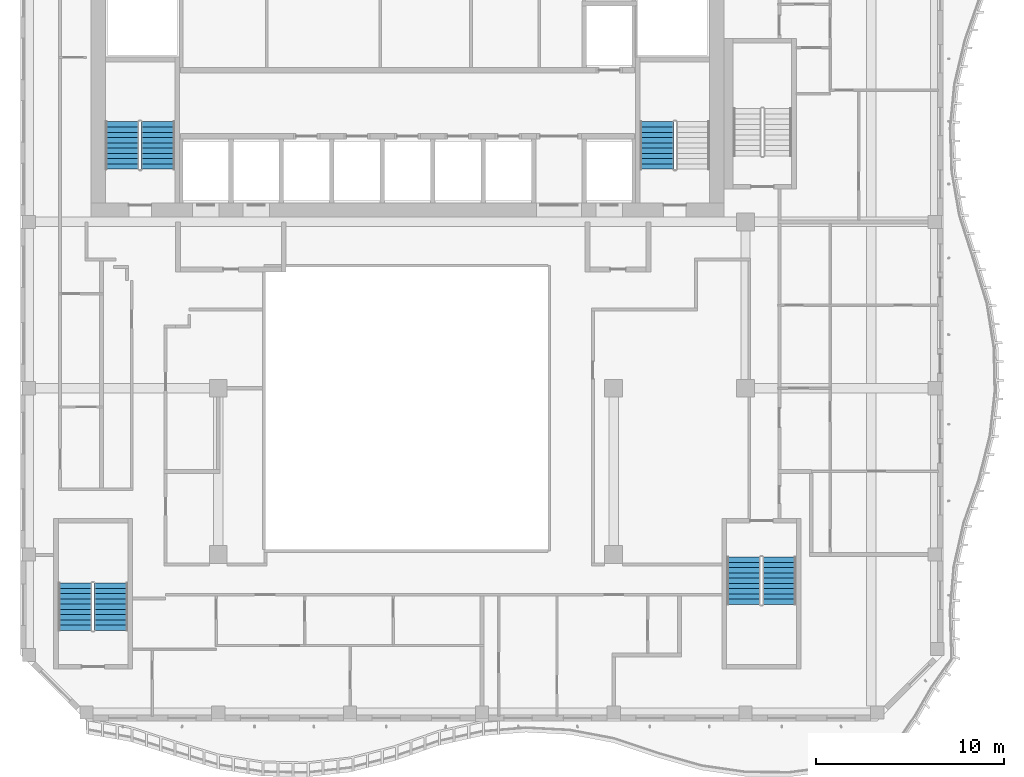
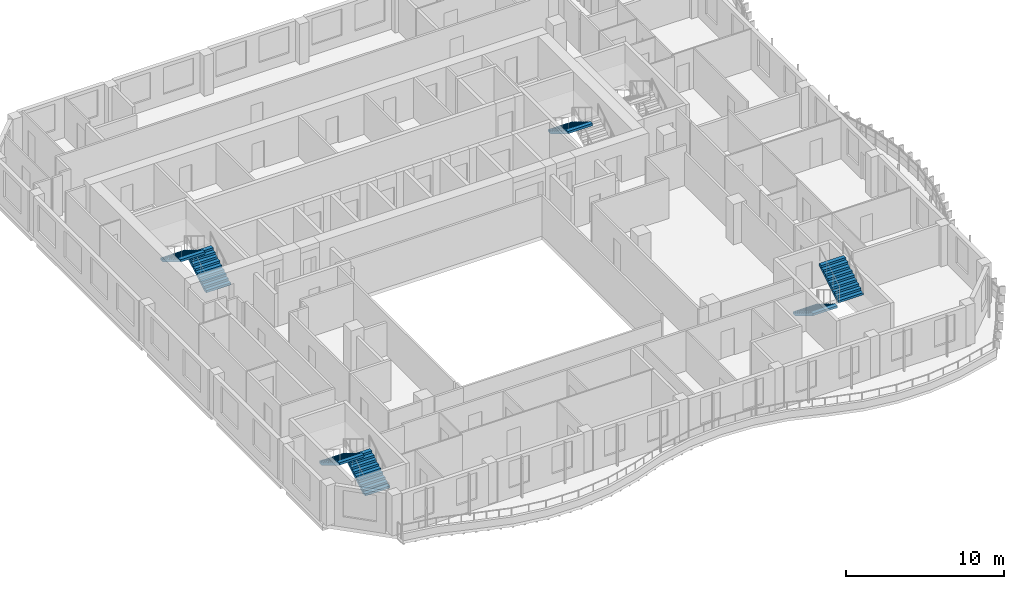
# One storey, part 10 of 19: 7 stair flights, 4 elements without a shape of their own.
"""IFC4 building model written with IfcOpenShell, lengths in metres."""

from ifc_helpers import new_model, si_unit, direction, frame, origin, place, context, subcontext, project, spatial, triangles, source, transform, mapped, material, type_object, element, aggregate, save


model = new_model("IFC4")

# Units and contexts
model_context = context("Model", 3, precision=1e-05, world=origin(), true_north=direction((0.0, 1.0)))
body_context = subcontext(model_context, "Body", "Model", "MODEL_VIEW")
ifc_project = project(units=[si_unit("LENGTHUNIT", "METRE"), si_unit("AREAUNIT", "SQUARE_METRE"), si_unit("VOLUMEUNIT", "CUBIC_METRE"), si_unit("PLANEANGLEUNIT", "RADIAN"), si_unit("MASSUNIT", "GRAM", prefix="KILO")], contexts=[model_context])

# Site, building, storey
site_placement = place(None, origin())
site = spatial("IfcSite", under=ifc_project, at=site_placement, CompositionType="ELEMENT")
building_placement = place(site_placement, origin())
building = spatial("IfcBuilding", under=site, at=building_placement, Name="Kilnfold Tower and Market Hall", CompositionType="ELEMENT")
storey_placement = place(building_placement, frame((0.0, 0.0, 242.39990234375)))
storey = spatial("IfcBuildingStorey", under=building, at=storey_placement, Name="L58", CompositionType="ELEMENT", Elevation=242.39990234375)

# Stair, stair flights
ifc_material_1 = material(Name="Concrete C40/50", Category="concrete")
stair_type = type_object("IfcStairType", Name="CORE STAIR 1800", PredefinedType="HALF_TURN_STAIR", material=ifc_material_1)
stair_1_placement = place(storey_placement, origin())
stair_1 = element("IfcStair", 1, at=stair_1_placement, inside=storey, type_object=stair_type, Name="L58 ST1", PredefinedType="HALF_TURN_STAIR")
ifc_material_2 = material(Name="Concrete C40/50", Category="concrete")
stair_flight_type = type_object("IfcStairFlightType", Name="CORE STAIR FLIGHT 1800", PredefinedType="STRAIGHT", material=ifc_material_2)
shared_shape = source(origin(), body_context, "Body", "Tessellation", [
    triangles([(0.0, 0.89990234375, 0.0), (0.0, 0.78759765625, 0.0), (0.0, 0.675048828125, 0.0), (0.0, 0.5625, 0.0), (0.0, 0.449951171875, 0.0), (0.0, 0.33740234375, 0.0), (0.0, 0.22509765625, 0.0), (0.0, 0.112548828125, 0.0), (0.0, 0.0, 0.0), (0.0, -0.112548828125, 0.0), (0.0, -0.22509765625, 0.0), (0.0, -0.33740234375, 0.0), (0.0, -0.449951171875, 0.0), (0.0, -0.5625, 0.0), (0.0, -0.675048828125, 0.0), (0.0, -0.78759765625, 0.0), (0.0, -0.89990234375, 0.0), (0.0, 0.89990234375, 0.169921875), (0.0, 0.78759765625, 0.169921875), (0.0, 0.675048828125, 0.169921875), (0.0, 0.5625, 0.169921875), (0.0, 0.449951171875, 0.169921875), (0.0, 0.33740234375, 0.169921875), (0.0, 0.22509765625, 0.169921875), (0.0, 0.112548828125, 0.169921875), (0.0, 0.0, 0.169921875), (0.0, -0.112548828125, 0.169921875), (0.0, -0.22509765625, 0.169921875), (0.0, -0.33740234375, 0.169921875), (0.0, -0.449951171875, 0.169921875), (0.0, -0.5625, 0.169921875), (0.0, -0.675048828125, 0.169921875), (0.0, -0.78759765625, 0.169921875), (0.0, -0.89990234375, 0.169921875), (0.280029296875, 0.89990234375, 0.169921875), (0.280029296875, 0.78759765625, 0.169921875), (0.280029296875, 0.675048828125, 0.169921875), (0.280029296875, 0.5625, 0.169921875), (0.280029296875, 0.449951171875, 0.169921875), (0.280029296875, 0.33740234375, 0.169921875), (0.280029296875, 0.22509765625, 0.169921875), (0.280029296875, 0.112548828125, 0.169921875), (0.280029296875, 0.0, 0.169921875), (0.280029296875, -0.112548828125, 0.169921875), (0.280029296875, -0.22509765625, 0.169921875), (0.280029296875, -0.33740234375, 0.169921875), (0.280029296875, -0.449951171875, 0.169921875), (0.280029296875, -0.5625, 0.169921875), (0.280029296875, -0.675048828125, 0.169921875), (0.280029296875, -0.78759765625, 0.169921875), (0.280029296875, -0.89990234375, 0.169921875), (0.280029296875, 0.89990234375, 0.340087890625), (0.280029296875, 0.78759765625, 0.340087890625), (0.280029296875, 0.675048828125, 0.340087890625), (0.280029296875, 0.5625, 0.340087890625), (0.280029296875, 0.449951171875, 0.340087890625), (0.280029296875, 0.33740234375, 0.340087890625), (0.280029296875, 0.22509765625, 0.340087890625), (0.280029296875, 0.112548828125, 0.340087890625), (0.280029296875, 0.0, 0.340087890625), (0.280029296875, -0.112548828125, 0.340087890625), (0.280029296875, -0.22509765625, 0.340087890625), (0.280029296875, -0.33740234375, 0.340087890625), (0.280029296875, -0.449951171875, 0.340087890625), (0.280029296875, -0.5625, 0.340087890625), (0.280029296875, -0.675048828125, 0.340087890625), (0.280029296875, -0.78759765625, 0.340087890625), (0.280029296875, -0.89990234375, 0.340087890625), (0.56005859375, 0.89990234375, 0.340087890625), (0.56005859375, 0.78759765625, 0.340087890625), (0.56005859375, 0.675048828125, 0.340087890625), (0.56005859375, 0.5625, 0.340087890625), (0.56005859375, 0.449951171875, 0.340087890625), (0.56005859375, 0.33740234375, 0.340087890625), (0.56005859375, 0.22509765625, 0.340087890625), (0.56005859375, 0.112548828125, 0.340087890625), (0.56005859375, 0.0, 0.340087890625), (0.56005859375, -0.112548828125, 0.340087890625), (0.56005859375, -0.22509765625, 0.340087890625), (0.56005859375, -0.33740234375, 0.340087890625), (0.56005859375, -0.449951171875, 0.340087890625), (0.56005859375, -0.5625, 0.340087890625), (0.56005859375, -0.675048828125, 0.340087890625), (0.56005859375, -0.78759765625, 0.340087890625), (0.56005859375, -0.89990234375, 0.340087890625), (0.56005859375, 0.89990234375, 0.510009765625), (0.56005859375, 0.78759765625, 0.510009765625), (0.56005859375, 0.675048828125, 0.510009765625), (0.56005859375, 0.5625, 0.510009765625), (0.56005859375, 0.449951171875, 0.510009765625), (0.56005859375, 0.33740234375, 0.510009765625), (0.56005859375, 0.22509765625, 0.510009765625), (0.56005859375, 0.112548828125, 0.510009765625), (0.56005859375, 0.0, 0.510009765625), (0.56005859375, -0.112548828125, 0.510009765625), (0.56005859375, -0.22509765625, 0.510009765625), (0.56005859375, -0.33740234375, 0.510009765625), (0.56005859375, -0.449951171875, 0.510009765625), (0.56005859375, -0.5625, 0.510009765625), (0.56005859375, -0.675048828125, 0.510009765625), (0.56005859375, -0.78759765625, 0.510009765625), (0.56005859375, -0.89990234375, 0.510009765625), (0.840087890625, 0.89990234375, 0.510009765625), (0.840087890625, 0.78759765625, 0.510009765625), (0.840087890625, 0.675048828125, 0.510009765625), (0.840087890625, 0.5625, 0.510009765625), (0.840087890625, 0.449951171875, 0.510009765625), (0.840087890625, 0.33740234375, 0.510009765625), (0.840087890625, 0.22509765625, 0.510009765625), (0.840087890625, 0.112548828125, 0.510009765625), (0.840087890625, 0.0, 0.510009765625), (0.840087890625, -0.112548828125, 0.510009765625), (0.840087890625, -0.22509765625, 0.510009765625), (0.840087890625, -0.33740234375, 0.510009765625), (0.840087890625, -0.449951171875, 0.510009765625), (0.840087890625, -0.5625, 0.510009765625), (0.840087890625, -0.675048828125, 0.510009765625), (0.840087890625, -0.78759765625, 0.510009765625), (0.840087890625, -0.89990234375, 0.510009765625), (0.840087890625, 0.89990234375, 0.679931640625), (0.840087890625, 0.78759765625, 0.679931640625), (0.840087890625, 0.675048828125, 0.679931640625), (0.840087890625, 0.5625, 0.679931640625), (0.840087890625, 0.449951171875, 0.679931640625), (0.840087890625, 0.33740234375, 0.679931640625), (0.840087890625, 0.22509765625, 0.679931640625), (0.840087890625, 0.112548828125, 0.679931640625), (0.840087890625, 0.0, 0.679931640625), (0.840087890625, -0.112548828125, 0.679931640625), (0.840087890625, -0.22509765625, 0.679931640625), (0.840087890625, -0.33740234375, 0.679931640625), (0.840087890625, -0.449951171875, 0.679931640625), (0.840087890625, -0.5625, 0.679931640625), (0.840087890625, -0.675048828125, 0.679931640625), (0.840087890625, -0.78759765625, 0.679931640625), (0.840087890625, -0.89990234375, 0.679931640625), (1.1201171875, 0.89990234375, 0.679931640625), (1.1201171875, 0.78759765625, 0.679931640625), (1.1201171875, 0.675048828125, 0.679931640625), (1.1201171875, 0.5625, 0.679931640625), (1.1201171875, 0.449951171875, 0.679931640625), (1.1201171875, 0.33740234375, 0.679931640625), (1.1201171875, 0.22509765625, 0.679931640625), (1.1201171875, 0.112548828125, 0.679931640625), (1.1201171875, 0.0, 0.679931640625), (1.1201171875, -0.112548828125, 0.679931640625), (1.1201171875, -0.22509765625, 0.679931640625), (1.1201171875, -0.33740234375, 0.679931640625), (1.1201171875, -0.449951171875, 0.679931640625), (1.1201171875, -0.5625, 0.679931640625), (1.1201171875, -0.675048828125, 0.679931640625), (1.1201171875, -0.78759765625, 0.679931640625), (1.1201171875, -0.89990234375, 0.679931640625), (1.1201171875, 0.89990234375, 0.85009765625), (1.1201171875, 0.78759765625, 0.85009765625), (1.1201171875, 0.675048828125, 0.85009765625), (1.1201171875, 0.5625, 0.85009765625), (1.1201171875, 0.449951171875, 0.85009765625), (1.1201171875, 0.33740234375, 0.85009765625), (1.1201171875, 0.22509765625, 0.85009765625), (1.1201171875, 0.112548828125, 0.85009765625), (1.1201171875, 0.0, 0.85009765625), (1.1201171875, -0.112548828125, 0.85009765625), (1.1201171875, -0.22509765625, 0.85009765625), (1.1201171875, -0.33740234375, 0.85009765625), (1.1201171875, -0.449951171875, 0.85009765625), (1.1201171875, -0.5625, 0.85009765625), (1.1201171875, -0.675048828125, 0.85009765625), (1.1201171875, -0.78759765625, 0.85009765625), (1.1201171875, -0.89990234375, 0.85009765625), (1.39990234375, 0.89990234375, 0.85009765625), (1.39990234375, 0.78759765625, 0.85009765625), (1.39990234375, 0.675048828125, 0.85009765625), (1.39990234375, 0.5625, 0.85009765625), (1.39990234375, 0.449951171875, 0.85009765625), (1.39990234375, 0.33740234375, 0.85009765625), (1.39990234375, 0.22509765625, 0.85009765625), (1.39990234375, 0.112548828125, 0.85009765625), (1.39990234375, 0.0, 0.85009765625), (1.39990234375, -0.112548828125, 0.85009765625), (1.39990234375, -0.22509765625, 0.85009765625), (1.39990234375, -0.33740234375, 0.85009765625), (1.39990234375, -0.449951171875, 0.85009765625), (1.39990234375, -0.5625, 0.85009765625), (1.39990234375, -0.675048828125, 0.85009765625), (1.39990234375, -0.78759765625, 0.85009765625), (1.39990234375, -0.89990234375, 0.85009765625), (1.39990234375, 0.89990234375, 1.02001953125), (1.39990234375, 0.78759765625, 1.02001953125), (1.39990234375, 0.675048828125, 1.02001953125), (1.39990234375, 0.5625, 1.02001953125), (1.39990234375, 0.449951171875, 1.02001953125), (1.39990234375, 0.33740234375, 1.02001953125), (1.39990234375, 0.22509765625, 1.02001953125), (1.39990234375, 0.112548828125, 1.02001953125), (1.39990234375, 0.0, 1.02001953125), (1.39990234375, -0.112548828125, 1.02001953125), (1.39990234375, -0.22509765625, 1.02001953125), (1.39990234375, -0.33740234375, 1.02001953125), (1.39990234375, -0.449951171875, 1.02001953125), (1.39990234375, -0.5625, 1.02001953125), (1.39990234375, -0.675048828125, 1.02001953125), (1.39990234375, -0.78759765625, 1.02001953125), (1.39990234375, -0.89990234375, 1.02001953125), (1.679931640625, 0.89990234375, 1.02001953125), (1.679931640625, 0.78759765625, 1.02001953125), (1.679931640625, 0.675048828125, 1.02001953125), (1.679931640625, 0.5625, 1.02001953125), (1.679931640625, 0.449951171875, 1.02001953125), (1.679931640625, 0.33740234375, 1.02001953125), (1.679931640625, 0.22509765625, 1.02001953125), (1.679931640625, 0.112548828125, 1.02001953125), (1.679931640625, 0.0, 1.02001953125), (1.679931640625, -0.112548828125, 1.02001953125), (1.679931640625, -0.22509765625, 1.02001953125), (1.679931640625, -0.33740234375, 1.02001953125), (1.679931640625, -0.449951171875, 1.02001953125), (1.679931640625, -0.5625, 1.02001953125), (1.679931640625, -0.675048828125, 1.02001953125), (1.679931640625, -0.78759765625, 1.02001953125), (1.679931640625, -0.89990234375, 1.02001953125), (1.679931640625, 0.89990234375, 1.18994140625), (1.679931640625, 0.78759765625, 1.18994140625), (1.679931640625, 0.675048828125, 1.18994140625), (1.679931640625, 0.5625, 1.18994140625), (1.679931640625, 0.449951171875, 1.18994140625), (1.679931640625, 0.33740234375, 1.18994140625), (1.679931640625, 0.22509765625, 1.18994140625), (1.679931640625, 0.112548828125, 1.18994140625), (1.679931640625, 0.0, 1.18994140625), (1.679931640625, -0.112548828125, 1.18994140625), (1.679931640625, -0.22509765625, 1.18994140625), (1.679931640625, -0.33740234375, 1.18994140625), (1.679931640625, -0.449951171875, 1.18994140625), (1.679931640625, -0.5625, 1.18994140625), (1.679931640625, -0.675048828125, 1.18994140625), (1.679931640625, -0.78759765625, 1.18994140625), (1.679931640625, -0.89990234375, 1.18994140625), (1.9599609375, 0.89990234375, 1.18994140625), (1.9599609375, 0.78759765625, 1.18994140625), (1.9599609375, 0.675048828125, 1.18994140625), (1.9599609375, 0.5625, 1.18994140625), (1.9599609375, 0.449951171875, 1.18994140625), (1.9599609375, 0.33740234375, 1.18994140625), (1.9599609375, 0.22509765625, 1.18994140625), (1.9599609375, 0.112548828125, 1.18994140625), (1.9599609375, 0.0, 1.18994140625), (1.9599609375, -0.112548828125, 1.18994140625), (1.9599609375, -0.22509765625, 1.18994140625), (1.9599609375, -0.33740234375, 1.18994140625), (1.9599609375, -0.449951171875, 1.18994140625), (1.9599609375, -0.5625, 1.18994140625), (1.9599609375, -0.675048828125, 1.18994140625), (1.9599609375, -0.78759765625, 1.18994140625), (1.9599609375, -0.89990234375, 1.18994140625), (1.9599609375, 0.89990234375, 1.360107421875), (1.9599609375, 0.78759765625, 1.360107421875), (1.9599609375, 0.675048828125, 1.360107421875), (1.9599609375, 0.5625, 1.360107421875), (1.9599609375, 0.449951171875, 1.360107421875), (1.9599609375, 0.33740234375, 1.360107421875), (1.9599609375, 0.22509765625, 1.360107421875), (1.9599609375, 0.112548828125, 1.360107421875), (1.9599609375, 0.0, 1.360107421875), (1.9599609375, -0.112548828125, 1.360107421875), (1.9599609375, -0.22509765625, 1.360107421875), (1.9599609375, -0.33740234375, 1.360107421875), (1.9599609375, -0.449951171875, 1.360107421875), (1.9599609375, -0.5625, 1.360107421875), (1.9599609375, -0.675048828125, 1.360107421875), (1.9599609375, -0.78759765625, 1.360107421875), (1.9599609375, -0.89990234375, 1.360107421875), (2.239990234375, 0.89990234375, 1.360107421875), (2.239990234375, 0.78759765625, 1.360107421875), (2.239990234375, 0.675048828125, 1.360107421875), (2.239990234375, 0.5625, 1.360107421875), (2.239990234375, 0.449951171875, 1.360107421875), (2.239990234375, 0.33740234375, 1.360107421875), (2.239990234375, 0.22509765625, 1.360107421875), (2.239990234375, 0.112548828125, 1.360107421875), (2.239990234375, 0.0, 1.360107421875), (2.239990234375, -0.112548828125, 1.360107421875), (2.239990234375, -0.22509765625, 1.360107421875), (2.239990234375, -0.33740234375, 1.360107421875), (2.239990234375, -0.449951171875, 1.360107421875), (2.239990234375, -0.5625, 1.360107421875), (2.239990234375, -0.675048828125, 1.360107421875), (2.239990234375, -0.78759765625, 1.360107421875), (2.239990234375, -0.89990234375, 1.360107421875), (2.239990234375, 0.89990234375, 1.530029296875), (2.239990234375, 0.78759765625, 1.530029296875), (2.239990234375, 0.675048828125, 1.530029296875), (2.239990234375, 0.5625, 1.530029296875), (2.239990234375, 0.449951171875, 1.530029296875), (2.239990234375, 0.33740234375, 1.530029296875), (2.239990234375, 0.22509765625, 1.530029296875), (2.239990234375, 0.112548828125, 1.530029296875), (2.239990234375, 0.0, 1.530029296875), (2.239990234375, -0.112548828125, 1.530029296875), (2.239990234375, -0.22509765625, 1.530029296875), (2.239990234375, -0.33740234375, 1.530029296875), (2.239990234375, -0.449951171875, 1.530029296875), (2.239990234375, -0.5625, 1.530029296875), (2.239990234375, -0.675048828125, 1.530029296875), (2.239990234375, -0.78759765625, 1.530029296875), (2.239990234375, -0.89990234375, 1.530029296875), (2.52001953125, 0.89990234375, 1.530029296875), (2.52001953125, 0.78759765625, 1.530029296875), (2.52001953125, 0.675048828125, 1.530029296875), (2.52001953125, 0.5625, 1.530029296875), (2.52001953125, 0.449951171875, 1.530029296875), (2.52001953125, 0.33740234375, 1.530029296875), (2.52001953125, 0.22509765625, 1.530029296875), (2.52001953125, 0.112548828125, 1.530029296875), (2.52001953125, 0.0, 1.530029296875), (2.52001953125, -0.112548828125, 1.530029296875), (2.52001953125, -0.22509765625, 1.530029296875), (2.52001953125, -0.33740234375, 1.530029296875), (2.52001953125, -0.449951171875, 1.530029296875), (2.52001953125, -0.5625, 1.530029296875), (2.52001953125, -0.675048828125, 1.530029296875), (2.52001953125, -0.78759765625, 1.530029296875), (2.52001953125, -0.89990234375, 1.530029296875), (2.52001953125, 0.89990234375, 1.354736328125), (2.52001953125, 0.78759765625, 1.354736328125), (2.52001953125, 0.675048828125, 1.354736328125), (2.52001953125, 0.5625, 1.354736328125), (2.52001953125, 0.449951171875, 1.354736328125), (2.52001953125, 0.33740234375, 1.354736328125), (2.52001953125, 0.22509765625, 1.354736328125), (2.52001953125, 0.112548828125, 1.354736328125), (2.52001953125, 0.0, 1.354736328125), (2.52001953125, -0.112548828125, 1.354736328125), (2.52001953125, -0.22509765625, 1.354736328125), (2.52001953125, -0.33740234375, 1.354736328125), (2.52001953125, -0.449951171875, 1.354736328125), (2.52001953125, -0.5625, 1.354736328125), (2.52001953125, -0.675048828125, 1.354736328125), (2.52001953125, -0.78759765625, 1.354736328125), (2.52001953125, -0.89990234375, 1.354736328125), (0.288818359375, 0.89990234375, 0.0), (0.288818359375, 0.78759765625, 0.0), (0.288818359375, 0.675048828125, 0.0), (0.288818359375, 0.5625, 0.0), (0.288818359375, 0.449951171875, 0.0), (0.288818359375, 0.33740234375, 0.0), (0.288818359375, 0.22509765625, 0.0), (0.288818359375, 0.112548828125, 0.0), (0.288818359375, 0.0, 0.0), (0.288818359375, -0.112548828125, 0.0), (0.288818359375, -0.22509765625, 0.0), (0.288818359375, -0.33740234375, 0.0), (0.288818359375, -0.449951171875, 0.0), (0.288818359375, -0.5625, 0.0), (0.288818359375, -0.675048828125, 0.0), (0.288818359375, -0.78759765625, 0.0), (0.288818359375, -0.89990234375, 0.0)], [[1, 324, 341], [17, 357, 340], [324, 290, 307], [340, 323, 306], [324, 273, 290], [340, 306, 289], [324, 256, 273], [340, 289, 272], [324, 239, 256], [340, 272, 255], [239, 205, 222], [255, 238, 221], [324, 205, 239], [340, 255, 221], [205, 171, 188], [221, 204, 187], [324, 171, 205], [340, 221, 187], [171, 137, 154], [187, 170, 153], [324, 137, 171], [340, 187, 153], [137, 103, 120], [153, 136, 119], [324, 103, 137], [340, 153, 119], [103, 69, 86], [119, 102, 85], [324, 69, 103], [340, 119, 85], [69, 35, 52], [85, 68, 51], [324, 35, 69], [340, 85, 51], [1, 35, 324], [17, 340, 51], [35, 1, 18], [51, 34, 17], [1, 19, 18], [1, 2, 19], [2, 20, 19], [2, 3, 20], [3, 21, 20], [3, 4, 21], [4, 22, 21], [4, 5, 22], [5, 23, 22], [5, 6, 23], [6, 24, 23], [6, 7, 24], [7, 25, 24], [7, 8, 25], [8, 26, 25], [8, 9, 26], [9, 27, 26], [9, 10, 27], [10, 28, 27], [10, 11, 28], [11, 29, 28], [11, 12, 29], [12, 30, 29], [12, 13, 30], [13, 31, 30], [13, 14, 31], [14, 32, 31], [14, 15, 32], [15, 33, 32], [15, 16, 33], [16, 34, 33], [16, 17, 34], [18, 36, 35], [18, 19, 36], [19, 37, 36], [19, 20, 37], [20, 38, 37], [20, 21, 38], [21, 39, 38], [21, 22, 39], [22, 40, 39], [22, 23, 40], [23, 41, 40], [23, 24, 41], [24, 42, 41], [24, 25, 42], [25, 43, 42], [25, 26, 43], [26, 44, 43], [26, 27, 44], [27, 45, 44], [27, 28, 45], [28, 46, 45], [28, 29, 46], [29, 47, 46], [29, 30, 47], [30, 48, 47], [30, 31, 48], [31, 49, 48], [31, 32, 49], [32, 50, 49], [32, 33, 50], [33, 51, 50], [33, 34, 51], [35, 53, 52], [35, 36, 53], [36, 54, 53], [36, 37, 54], [37, 55, 54], [37, 38, 55], [38, 56, 55], [38, 39, 56], [39, 57, 56], [39, 40, 57], [40, 58, 57], [40, 41, 58], [41, 59, 58], [41, 42, 59], [42, 60, 59], [42, 43, 60], [43, 61, 60], [43, 44, 61], [44, 62, 61], [44, 45, 62], [45, 63, 62], [45, 46, 63], [46, 64, 63], [46, 47, 64], [47, 65, 64], [47, 48, 65], [48, 66, 65], [48, 49, 66], [49, 67, 66], [49, 50, 67], [50, 68, 67], [50, 51, 68], [52, 70, 69], [52, 53, 70], [53, 71, 70], [53, 54, 71], [54, 72, 71], [54, 55, 72], [55, 73, 72], [55, 56, 73], [56, 74, 73], [56, 57, 74], [57, 75, 74], [57, 58, 75], [58, 76, 75], [58, 59, 76], [59, 77, 76], [59, 60, 77], [60, 78, 77], [60, 61, 78], [61, 79, 78], [61, 62, 79], [62, 80, 79], [62, 63, 80], [63, 81, 80], [63, 64, 81], [64, 82, 81], [64, 65, 82], [65, 83, 82], [65, 66, 83], [66, 84, 83], [66, 67, 84], [67, 85, 84], [67, 68, 85], [69, 87, 86], [69, 70, 87], [70, 88, 87], [70, 71, 88], [71, 89, 88], [71, 72, 89], [72, 90, 89], [72, 73, 90], [73, 91, 90], [73, 74, 91], [74, 92, 91], [74, 75, 92], [75, 93, 92], [75, 76, 93], [76, 94, 93], [76, 77, 94], [77, 95, 94], [77, 78, 95], [78, 96, 95], [78, 79, 96], [79, 97, 96], [79, 80, 97], [80, 98, 97], [80, 81, 98], [81, 99, 98], [81, 82, 99], [82, 100, 99], [82, 83, 100], [83, 101, 100], [83, 84, 101], [84, 102, 101], [84, 85, 102], [86, 104, 103], [86, 87, 104], [87, 105, 104], [87, 88, 105], [88, 106, 105], [88, 89, 106], [89, 107, 106], [89, 90, 107], [90, 108, 107], [90, 91, 108], [91, 109, 108], [91, 92, 109], [92, 110, 109], [92, 93, 110], [93, 111, 110], [93, 94, 111], [94, 112, 111], [94, 95, 112], [95, 113, 112], [95, 96, 113], [96, 114, 113], [96, 97, 114], [97, 115, 114], [97, 98, 115], [98, 116, 115], [98, 99, 116], [99, 117, 116], [99, 100, 117], [100, 118, 117], [100, 101, 118], [101, 119, 118], [101, 102, 119], [103, 121, 120], [103, 104, 121], [104, 122, 121], [104, 105, 122], [105, 123, 122], [105, 106, 123], [106, 124, 123], [106, 107, 124], [107, 125, 124], [107, 108, 125], [108, 126, 125], [108, 109, 126], [109, 127, 126], [109, 110, 127], [110, 128, 127], [110, 111, 128], [111, 129, 128], [111, 112, 129], [112, 130, 129], [112, 113, 130], [113, 131, 130], [113, 114, 131], [114, 132, 131], [114, 115, 132], [115, 133, 132], [115, 116, 133], [116, 134, 133], [116, 117, 134], [117, 135, 134], [117, 118, 135], [118, 136, 135], [118, 119, 136], [120, 138, 137], [120, 121, 138], [121, 139, 138], [121, 122, 139], [122, 140, 139], [122, 123, 140], [123, 141, 140], [123, 124, 141], [124, 142, 141], [124, 125, 142], [125, 143, 142], [125, 126, 143], [126, 144, 143], [126, 127, 144], [127, 145, 144], [127, 128, 145], [128, 146, 145], [128, 129, 146], [129, 147, 146], [129, 130, 147], [130, 148, 147], [130, 131, 148], [131, 149, 148], [131, 132, 149], [132, 150, 149], [132, 133, 150], [133, 151, 150], [133, 134, 151], [134, 152, 151], [134, 135, 152], [135, 153, 152], [135, 136, 153], [137, 155, 154], [137, 138, 155], [138, 156, 155], [138, 139, 156], [139, 157, 156], [139, 140, 157], [140, 158, 157], [140, 141, 158], [141, 159, 158], [141, 142, 159], [142, 160, 159], [142, 143, 160], [143, 161, 160], [143, 144, 161], [144, 162, 161], [144, 145, 162], [145, 163, 162], [145, 146, 163], [146, 164, 163], [146, 147, 164], [147, 165, 164], [147, 148, 165], [148, 166, 165], [148, 149, 166], [149, 167, 166], [149, 150, 167], [150, 168, 167], [150, 151, 168], [151, 169, 168], [151, 152, 169], [152, 170, 169], [152, 153, 170], [154, 172, 171], [154, 155, 172], [155, 173, 172], [155, 156, 173], [156, 174, 173], [156, 157, 174], [157, 175, 174], [157, 158, 175], [158, 176, 175], [158, 159, 176], [159, 177, 176], [159, 160, 177], [160, 178, 177], [160, 161, 178], [161, 179, 178], [161, 162, 179], [162, 180, 179], [162, 163, 180], [163, 181, 180], [163, 164, 181], [164, 182, 181], [164, 165, 182], [165, 183, 182], [165, 166, 183], [166, 184, 183], [166, 167, 184], [167, 185, 184], [167, 168, 185], [168, 186, 185], [168, 169, 186], [169, 187, 186], [169, 170, 187], [171, 189, 188], [171, 172, 189], [172, 190, 189], [172, 173, 190], [173, 191, 190], [173, 174, 191], [174, 192, 191], [174, 175, 192], [175, 193, 192], [175, 176, 193], [176, 194, 193], [176, 177, 194], [177, 195, 194], [177, 178, 195], [178, 196, 195], [178, 179, 196], [179, 197, 196], [179, 180, 197], [180, 198, 197], [180, 181, 198], [181, 199, 198], [181, 182, 199], [182, 200, 199], [182, 183, 200], [183, 201, 200], [183, 184, 201], [184, 202, 201], [184, 185, 202], [185, 203, 202], [185, 186, 203], [186, 204, 203], [186, 187, 204], [188, 206, 205], [188, 189, 206], [189, 207, 206], [189, 190, 207], [190, 208, 207], [190, 191, 208], [191, 209, 208], [191, 192, 209], [192, 210, 209], [192, 193, 210], [193, 211, 210], [193, 194, 211], [194, 212, 211], [194, 195, 212], [195, 213, 212], [195, 196, 213], [196, 214, 213], [196, 197, 214], [197, 215, 214], [197, 198, 215], [198, 216, 215], [198, 199, 216], [199, 217, 216], [199, 200, 217], [200, 218, 217], [200, 201, 218], [201, 219, 218], [201, 202, 219], [202, 220, 219], [202, 203, 220], [203, 221, 220], [203, 204, 221], [205, 223, 222], [205, 206, 223], [206, 224, 223], [206, 207, 224], [207, 225, 224], [207, 208, 225], [208, 226, 225], [208, 209, 226], [209, 227, 226], [209, 210, 227], [210, 228, 227], [210, 211, 228], [211, 229, 228], [211, 212, 229], [212, 230, 229], [212, 213, 230], [213, 231, 230], [213, 214, 231], [214, 232, 231], [214, 215, 232], [215, 233, 232], [215, 216, 233], [216, 234, 233], [216, 217, 234], [217, 235, 234], [217, 218, 235], [218, 236, 235], [218, 219, 236], [219, 237, 236], [219, 220, 237], [220, 238, 237], [220, 221, 238], [222, 240, 239], [222, 223, 240], [223, 241, 240], [223, 224, 241], [224, 242, 241], [224, 225, 242], [225, 243, 242], [225, 226, 243], [226, 244, 243], [226, 227, 244], [227, 245, 244], [227, 228, 245], [228, 246, 245], [228, 229, 246], [229, 247, 246], [229, 230, 247], [230, 248, 247], [230, 231, 248], [231, 249, 248], [231, 232, 249], [232, 250, 249], [232, 233, 250], [233, 251, 250], [233, 234, 251], [234, 252, 251], [234, 235, 252], [235, 253, 252], [235, 236, 253], [236, 254, 253], [236, 237, 254], [237, 255, 254], [237, 238, 255], [239, 257, 256], [239, 240, 257], [240, 258, 257], [240, 241, 258], [241, 259, 258], [241, 242, 259], [242, 260, 259], [242, 243, 260], [243, 261, 260], [243, 244, 261], [244, 262, 261], [244, 245, 262], [245, 263, 262], [245, 246, 263], [246, 264, 263], [246, 247, 264], [247, 265, 264], [247, 248, 265], [248, 266, 265], [248, 249, 266], [249, 267, 266], [249, 250, 267], [250, 268, 267], [250, 251, 268], [251, 269, 268], [251, 252, 269], [252, 270, 269], [252, 253, 270], [253, 271, 270], [253, 254, 271], [254, 272, 271], [254, 255, 272], [256, 274, 273], [256, 257, 274], [257, 275, 274], [257, 258, 275], [258, 276, 275], [258, 259, 276], [259, 277, 276], [259, 260, 277], [260, 278, 277], [260, 261, 278], [261, 279, 278], [261, 262, 279], [262, 280, 279], [262, 263, 280], [263, 281, 280], [263, 264, 281], [264, 282, 281], [264, 265, 282], [265, 283, 282], [265, 266, 283], [266, 284, 283], [266, 267, 284], [267, 285, 284], [267, 268, 285], [268, 286, 285], [268, 269, 286], [269, 287, 286], [269, 270, 287], [270, 288, 287], [270, 271, 288], [271, 289, 288], [271, 272, 289], [273, 291, 290], [273, 274, 291], [274, 292, 291], [274, 275, 292], [275, 293, 292], [275, 276, 293], [276, 294, 293], [276, 277, 294], [277, 295, 294], [277, 278, 295], [278, 296, 295], [278, 279, 296], [279, 297, 296], [279, 280, 297], [280, 298, 297], [280, 281, 298], [281, 299, 298], [281, 282, 299], [282, 300, 299], [282, 283, 300], [283, 301, 300], [283, 284, 301], [284, 302, 301], [284, 285, 302], [285, 303, 302], [285, 286, 303], [286, 304, 303], [286, 287, 304], [287, 305, 304], [287, 288, 305], [288, 306, 305], [288, 289, 306], [290, 308, 307], [290, 291, 308], [291, 309, 308], [291, 292, 309], [292, 310, 309], [292, 293, 310], [293, 311, 310], [293, 294, 311], [294, 312, 311], [294, 295, 312], [295, 313, 312], [295, 296, 313], [296, 314, 313], [296, 297, 314], [297, 315, 314], [297, 298, 315], [298, 316, 315], [298, 299, 316], [299, 317, 316], [299, 300, 317], [300, 318, 317], [300, 301, 318], [301, 319, 318], [301, 302, 319], [302, 320, 319], [302, 303, 320], [303, 321, 320], [303, 304, 321], [304, 322, 321], [304, 305, 322], [305, 323, 322], [305, 306, 323], [307, 325, 324], [307, 308, 325], [308, 326, 325], [308, 309, 326], [309, 327, 326], [309, 310, 327], [310, 328, 327], [310, 311, 328], [311, 329, 328], [311, 312, 329], [312, 330, 329], [312, 313, 330], [313, 331, 330], [313, 314, 331], [314, 332, 331], [314, 315, 332], [315, 333, 332], [315, 316, 333], [316, 334, 333], [316, 317, 334], [317, 335, 334], [317, 318, 335], [318, 336, 335], [318, 319, 336], [319, 337, 336], [319, 320, 337], [320, 338, 337], [320, 321, 338], [321, 339, 338], [321, 322, 339], [322, 340, 339], [322, 323, 340], [324, 342, 341], [324, 325, 342], [325, 343, 342], [325, 326, 343], [326, 344, 343], [326, 327, 344], [327, 345, 344], [327, 328, 345], [328, 346, 345], [328, 329, 346], [329, 347, 346], [329, 330, 347], [330, 348, 347], [330, 331, 348], [331, 349, 348], [331, 332, 349], [332, 350, 349], [332, 333, 350], [333, 351, 350], [333, 334, 351], [334, 352, 351], [334, 335, 352], [335, 353, 352], [335, 336, 353], [336, 354, 353], [336, 337, 354], [337, 355, 354], [337, 338, 355], [338, 356, 355], [338, 339, 356], [339, 357, 356], [339, 340, 357], [341, 2, 1], [341, 342, 2], [342, 3, 2], [342, 343, 3], [343, 4, 3], [343, 344, 4], [344, 5, 4], [344, 345, 5], [345, 6, 5], [345, 346, 6], [346, 7, 6], [346, 347, 7], [347, 8, 7], [347, 348, 8], [348, 9, 8], [348, 349, 9], [349, 10, 9], [349, 350, 10], [350, 11, 10], [350, 351, 11], [351, 12, 11], [351, 352, 12], [352, 13, 12], [352, 353, 13], [353, 14, 13], [353, 354, 14], [354, 15, 14], [354, 355, 15], [355, 16, 15], [355, 356, 16], [356, 17, 16], [356, 357, 17]], closed=True),
])
stair_flight_1_placement = place(storey_placement, frame((-12.199951171875, 10.800048828125, 0.0), z_axis=(0.0, 0.0, 1.0), x_axis=(0.0, 1.0, 0.0)))
stair_flight_1 = element("IfcStairFlight", 2, at=stair_flight_1_placement, type_object=stair_flight_type, Name="ST1 flight 1", NumberOfRisers=10, NumberOfTreads=9, PredefinedType="STRAIGHT", RiserHeight=0.17, TreadLength=0.28, context=body_context, shape_type="MappedRepresentation", body=[
    mapped(shared_shape, transform((0.0, 0.0, 0.0))),
])
stair_flight_2_placement = place(storey_placement, frame((-14.10009765625, 13.320068359375, 1.7001953125), z_axis=(0.0, 0.0, 1.0), x_axis=(0.0, -1.0, 0.0)))
stair_flight_2 = element("IfcStairFlight", 3, at=stair_flight_2_placement, type_object=stair_flight_type, Name="ST1 flight 2", NumberOfRisers=10, NumberOfTreads=9, PredefinedType="STRAIGHT", RiserHeight=0.17, TreadLength=0.28, context=body_context, shape_type="MappedRepresentation", body=[
    mapped(shared_shape, transform((0.0, 0.0, 0.0))),
])
aggregate(stair_1, [stair_flight_1, stair_flight_2])

# Stair, stair flight
stair_2_placement = place(storey_placement, origin())
stair_2 = element("IfcStair", 4, at=stair_2_placement, inside=storey, type_object=stair_type, Name="L58 ST2", PredefinedType="HALF_TURN_STAIR")
stair_flight_3_placement = place(storey_placement, frame((14.300048828125, 13.320068359375, 1.7001953125), z_axis=(0.0, 0.0, 1.0), x_axis=(0.0, -1.0, 0.0)))
stair_flight_3 = element("IfcStairFlight", 5, at=stair_flight_3_placement, type_object=stair_flight_type, Name="ST2 flight 2", NumberOfRisers=10, NumberOfTreads=9, PredefinedType="STRAIGHT", RiserHeight=0.17, TreadLength=0.28, context=body_context, shape_type="MappedRepresentation", body=[
    mapped(shared_shape, transform((0.0, 0.0, 0.0))),
])
aggregate(stair_2, [stair_flight_3])

# Stair, stair flights
stair_3_placement = place(storey_placement, origin())
stair_3 = element("IfcStair", 6, at=stair_3_placement, inside=storey, type_object=stair_type, Name="L58 ST3", PredefinedType="HALF_TURN_STAIR")
stair_flight_4_placement = place(storey_placement, frame((-14.699951171875, -13.699951171875, 0.0), z_axis=(0.0, 0.0, 1.0), x_axis=(0.0, 1.0, 0.0)))
stair_flight_4 = element("IfcStairFlight", 7, at=stair_flight_4_placement, type_object=stair_flight_type, Name="ST3 flight 1", NumberOfRisers=10, NumberOfTreads=9, PredefinedType="STRAIGHT", RiserHeight=0.17, TreadLength=0.28, context=body_context, shape_type="MappedRepresentation", body=[
    mapped(shared_shape, transform((0.0, 0.0, 0.0))),
])
stair_flight_5_placement = place(storey_placement, frame((-16.60009765625, -11.179931640625, 1.7001953125), z_axis=(0.0, 0.0, 1.0), x_axis=(0.0, -1.0, 0.0)))
stair_flight_5 = element("IfcStairFlight", 8, at=stair_flight_5_placement, type_object=stair_flight_type, Name="ST3 flight 2", NumberOfRisers=10, NumberOfTreads=9, PredefinedType="STRAIGHT", RiserHeight=0.17, TreadLength=0.28, context=body_context, shape_type="MappedRepresentation", body=[
    mapped(shared_shape, transform((0.0, 0.0, 0.0))),
])
aggregate(stair_3, [stair_flight_4, stair_flight_5])

stair_4_placement = place(storey_placement, origin())
stair_4 = element("IfcStair", 9, at=stair_4_placement, inside=storey, type_object=stair_type, Name="L58 ST4", PredefinedType="HALF_TURN_STAIR")
stair_flight_6_placement = place(storey_placement, frame((18.89990234375, -9.800048828125, 0.0), z_axis=(0.0, 0.0, 1.0), x_axis=(0.0, -1.0, 0.0)))
stair_flight_6 = element("IfcStairFlight", 10, at=stair_flight_6_placement, type_object=stair_flight_type, Name="ST4 flight 1", NumberOfRisers=10, NumberOfTreads=9, PredefinedType="STRAIGHT", RiserHeight=0.17, TreadLength=0.28, context=body_context, shape_type="MappedRepresentation", body=[
    mapped(shared_shape, transform((0.0, 0.0, 0.0))),
])
stair_flight_7_placement = place(storey_placement, frame((20.800048828125, -12.320068359375, 1.7001953125), z_axis=(0.0, 0.0, 1.0), x_axis=(0.0, 1.0, 0.0)))
stair_flight_7 = element("IfcStairFlight", 11, at=stair_flight_7_placement, type_object=stair_flight_type, Name="ST4 flight 2", NumberOfRisers=10, NumberOfTreads=9, PredefinedType="STRAIGHT", RiserHeight=0.17, TreadLength=0.28, context=body_context, shape_type="MappedRepresentation", body=[
    mapped(shared_shape, transform((0.0, 0.0, 0.0))),
])
aggregate(stair_4, [stair_flight_6, stair_flight_7])

save(model, "model.ifc")
